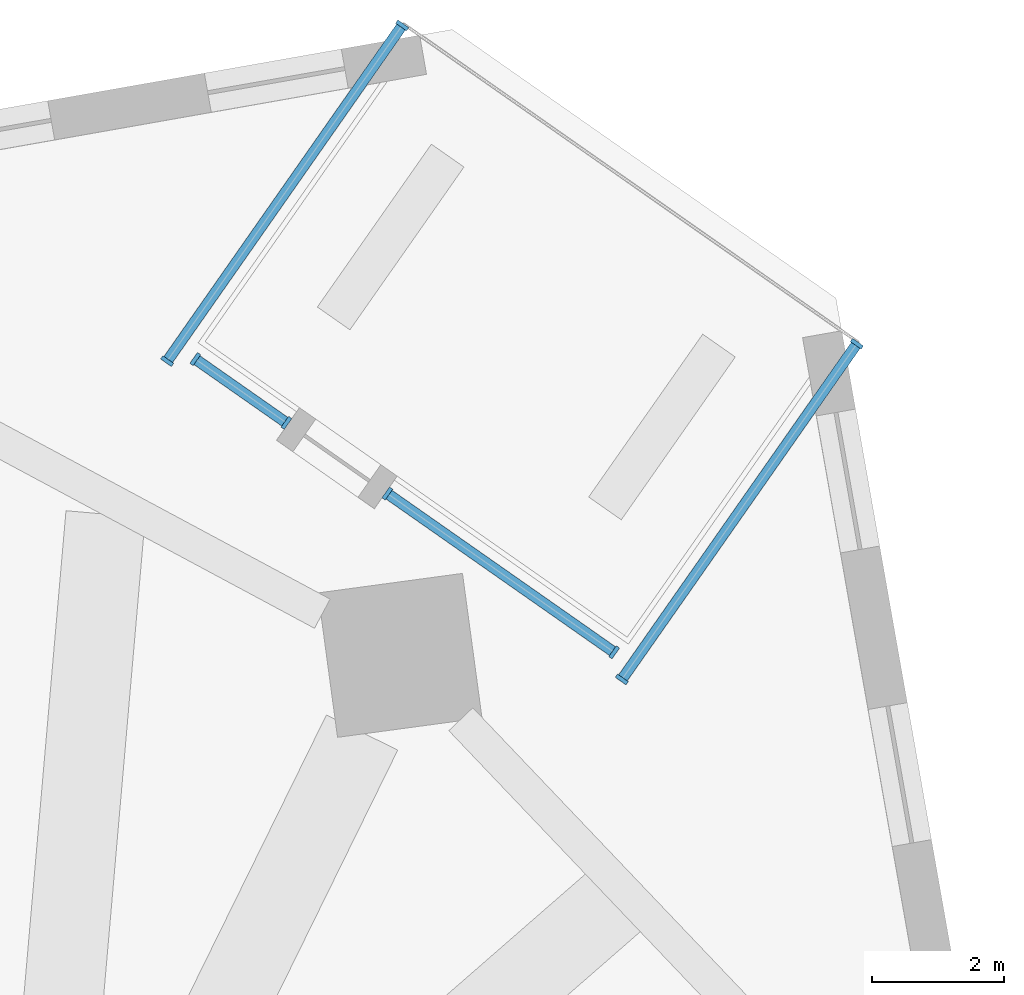
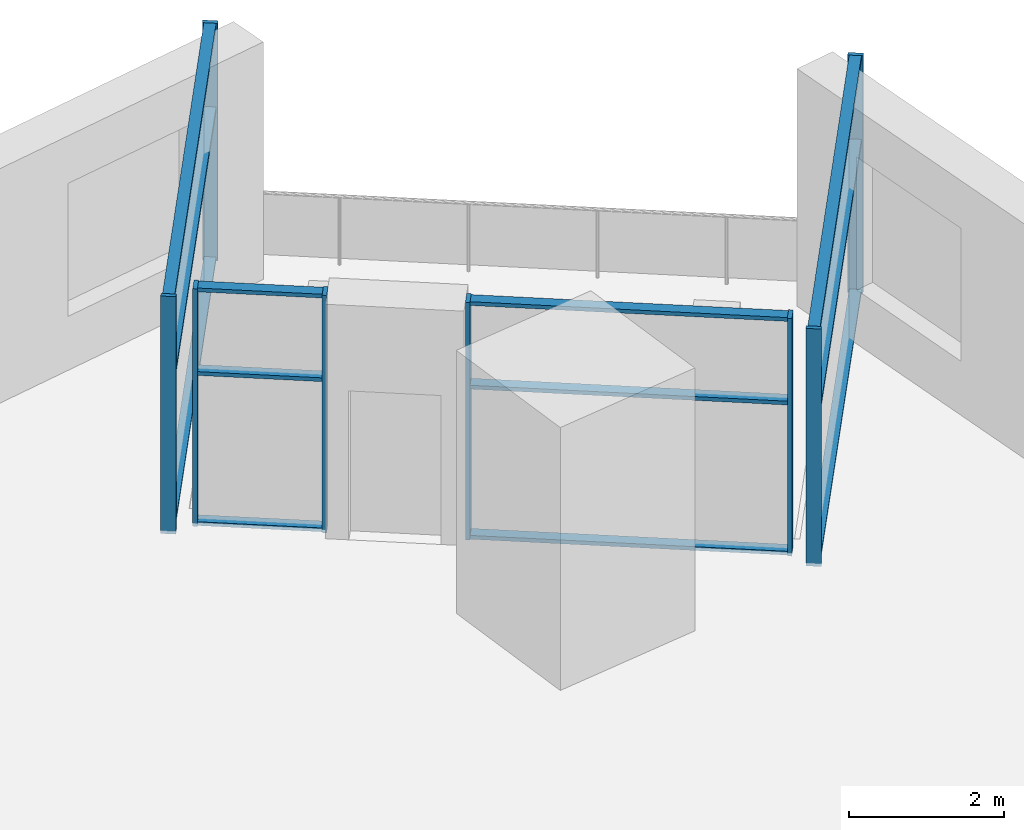
# One storey, part 2 of 10: 20 members, 4 elements without a shape of their own.
"""IFC4 building model written with IfcOpenShell, lengths in metres."""

from ifc_helpers import new_model, si_unit, direction, frame, origin, origin_2d, place, context, subcontext, project, spatial, rectangle, extrude, material, material_profile, profile_set, type_object, element, aggregate, save


model = new_model("IFC4")

# Units and contexts
model_context = context("Model", 3, precision=1e-05, world=origin(), true_north=direction((0.0, 1.0)))
body_context = subcontext(model_context, "Body", "Model", "MODEL_VIEW")
ifc_project = project(units=[si_unit("LENGTHUNIT", "METRE"), si_unit("AREAUNIT", "SQUARE_METRE"), si_unit("VOLUMEUNIT", "CUBIC_METRE"), si_unit("PLANEANGLEUNIT", "RADIAN"), si_unit("MASSUNIT", "GRAM", prefix="KILO")], contexts=[model_context])

# Site, building, storey
site_placement = place(None, origin())
site = spatial("IfcSite", under=ifc_project, at=site_placement, CompositionType="ELEMENT")
building_placement = place(site_placement, origin())
building = spatial("IfcBuilding", under=site, at=building_placement, Name="Dilmun Exchange Tower", CompositionType="ELEMENT")
storey_placement = place(building_placement, frame((0.0, 0.0, 63.89990234375)))
storey = spatial("IfcBuildingStorey", under=building, at=storey_placement, Name="L14", CompositionType="ELEMENT", Elevation=63.89990234375)

# Curtain wall, members
ifc_material_1 = material(Name="Anodised aluminium and clear glass", Category="aluminium")
curtain_wall_type = type_object("IfcCurtainWallType", Name="Garden corner glazing", PredefinedType="NOTDEFINED", material=ifc_material_1)
curtain_wall_1_placement = place(storey_placement, origin())
curtain_wall_1 = element("IfcCurtainWall", 1, at=curtain_wall_1_placement, inside=storey, type_object=curtain_wall_type, Name="Garden corner glazing run GC1.1", PredefinedType="NOTDEFINED")
ifc_material_2 = material(Name="Anodised aluminium", Category="aluminium")
ifc_material_profile_1 = material_profile(ifc_material_2, rectangle(XDim=0.199951171875, YDim=0.06005859375, at=origin_2d()), Name="AL 60x200")
ifc_profile_set_1 = profile_set([ifc_material_profile_1], Name="Anodised aluminium")
member_type_1 = type_object("IfcMemberType", Name="Garden corner glazing mullion 60 x 200", PredefinedType="MULLION", material=ifc_profile_set_1)
member_1_placement = place(storey_placement, frame((25.518310546875, 29.140625, 0.0), z_axis=(0.0, 0.0, 1.0), x_axis=(0.819153693935, -0.573574080405, 0.0)))
member_1 = element("IfcMember", 2, at=member_1_placement, type_object=member_type_1, Name="GC1.1 mullion 1", PredefinedType="MULLION", context=body_context, shape_type="SweptSolid", body=[
    extrude(rectangle(XDim=0.199951171875, YDim=0.06005859375, at=origin_2d()), origin(), (0.0, 0.0, 1.0), 3.75),
])
member_2_placement = place(storey_placement, frame((21.969970703125, 24.072998046875, 0.0), z_axis=(0.0, 0.0, 1.0), x_axis=(0.819153693935, -0.573574080405, 0.0)))
member_2 = element("IfcMember", 3, at=member_2_placement, type_object=member_type_1, Name="GC1.1 mullion 2", PredefinedType="MULLION", context=body_context, shape_type="SweptSolid", body=[
    extrude(rectangle(XDim=0.199951171875, YDim=0.06005859375, at=origin_2d()), origin(), (0.0, 0.0, 1.0), 3.75),
])

curtain_wall_2_placement = place(storey_placement, origin())
curtain_wall_2 = element("IfcCurtainWall", 4, at=curtain_wall_2_placement, inside=storey, type_object=curtain_wall_type, Name="Garden corner glazing run GC2.1", PredefinedType="NOTDEFINED")
member_3_placement = place(storey_placement, frame((21.8544921875, 24.4833984375, 0.0), z_axis=(0.0, 0.0, 1.0), x_axis=(-0.573576332556, -0.819152116967, 0.0)))
member_3 = element("IfcMember", 5, at=member_3_placement, type_object=member_type_1, Name="GC2.1 mullion 1", PredefinedType="MULLION", context=body_context, shape_type="SweptSolid", body=[
    extrude(rectangle(XDim=0.199951171875, YDim=0.06005859375, at=origin_2d()), origin(), (0.0, 0.0, 1.0), 3.75),
])
member_4_placement = place(storey_placement, frame((18.431396484375, 26.88037109375, 0.0), z_axis=(0.0, 0.0, 1.0), x_axis=(-0.573576332556, -0.819152116967, 0.0)))
member_4 = element("IfcMember", 6, at=member_4_placement, type_object=member_type_1, Name="GC2.1 mullion 2", PredefinedType="MULLION", context=body_context, shape_type="SweptSolid", body=[
    extrude(rectangle(XDim=0.199951171875, YDim=0.06005859375, at=origin_2d()), origin(), (0.0, 0.0, 1.0), 3.75),
])

curtain_wall_3_placement = place(storey_placement, origin())
curtain_wall_3 = element("IfcCurtainWall", 7, at=curtain_wall_3_placement, inside=storey, type_object=curtain_wall_type, Name="Garden corner glazing run GC2.3", PredefinedType="NOTDEFINED")
member_5_placement = place(storey_placement, frame((16.90771484375, 27.947265625, 0.0), z_axis=(0.0, 0.0, 1.0), x_axis=(-0.573570394551, -0.81915627477, 0.0)))
member_5 = element("IfcMember", 8, at=member_5_placement, type_object=member_type_1, Name="GC2.3 mullion 1", PredefinedType="MULLION", context=body_context, shape_type="SweptSolid", body=[
    extrude(rectangle(XDim=0.199951171875, YDim=0.06005859375, at=origin_2d()), origin(), (0.0, 0.0, 1.0), 3.75),
])
member_6_placement = place(storey_placement, frame((15.5322265625, 28.910400390625, 0.0), z_axis=(0.0, 0.0, 1.0), x_axis=(-0.573570394551, -0.81915627477, 0.0)))
member_6 = element("IfcMember", 9, at=member_6_placement, type_object=member_type_1, Name="GC2.3 mullion 2", PredefinedType="MULLION", context=body_context, shape_type="SweptSolid", body=[
    extrude(rectangle(XDim=0.199951171875, YDim=0.06005859375, at=origin_2d()), origin(), (0.0, 0.0, 1.0), 3.75),
])

curtain_wall_4_placement = place(storey_placement, origin())
curtain_wall_4 = element("IfcCurtainWall", 10, at=curtain_wall_4_placement, inside=storey, type_object=curtain_wall_type, Name="Garden corner glazing run GC3.1", PredefinedType="NOTDEFINED")
member_7_placement = place(storey_placement, frame((15.10693359375, 28.87841796875, 0.0), z_axis=(0.0, 0.0, 1.0), x_axis=(-0.819153693935, 0.573574080405, 0.0)))
member_7 = element("IfcMember", 11, at=member_7_placement, type_object=member_type_1, Name="GC3.1 mullion 1", PredefinedType="MULLION", context=body_context, shape_type="SweptSolid", body=[
    extrude(rectangle(XDim=0.199951171875, YDim=0.06005859375, at=origin_2d()), origin(), (0.0, 0.0, 1.0), 3.75),
])
member_8_placement = place(storey_placement, frame((18.6552734375, 33.946044921875, 0.0), z_axis=(0.0, 0.0, 1.0), x_axis=(-0.819153693935, 0.573574080405, 0.0)))
member_8 = element("IfcMember", 12, at=member_8_placement, type_object=member_type_1, Name="GC3.1 mullion 2", PredefinedType="MULLION", context=body_context, shape_type="SweptSolid", body=[
    extrude(rectangle(XDim=0.199951171875, YDim=0.06005859375, at=origin_2d()), origin(), (0.0, 0.0, 1.0), 3.75),
])

# Member
ifc_material_profile_2 = material_profile(ifc_material_2, rectangle(XDim=0.159912109375, YDim=0.06005859375, at=origin_2d()), Name="AL 60x160")
ifc_profile_set_2 = profile_set([ifc_material_profile_2], Name="Anodised aluminium")
member_type_2 = type_object("IfcMemberType", Name="Garden corner glazing transom 60 x 160", PredefinedType="USERDEFINED", material=ifc_profile_set_2)
member_9_placement = place(storey_placement, frame((25.501220703125, 29.115966796875, 0.030029296875), z_axis=(-0.573582695065, -0.819147661854, 0.0), x_axis=(0.819147661854, -0.573582695065, 0.0)))
member_9 = element("IfcMember", 13, at=member_9_placement, type_object=member_type_2, Name="GC1.1 transom 1.1", ObjectType="TRANSOM", PredefinedType="USERDEFINED", context=body_context, shape_type="SweptSolid", body=[
    extrude(rectangle(XDim=0.159912109375, YDim=0.06005859375, at=origin_2d()), origin(), (0.0, 0.0, 1.0), 6.126220703125),
])

member_10_placement = place(storey_placement, frame((25.501220703125, 29.115966796875, 2.400146484375), z_axis=(-0.573582695065, -0.819147661854, 0.0), x_axis=(0.819147661854, -0.573582695065, 0.0)))
member_10 = element("IfcMember", 14, at=member_10_placement, type_object=member_type_2, Name="GC1.1 transom 1.2", ObjectType="TRANSOM", PredefinedType="USERDEFINED", context=body_context, shape_type="SweptSolid", body=[
    extrude(rectangle(XDim=0.159912109375, YDim=0.06005859375, at=origin_2d()), origin(), (0.0, 0.0, 1.0), 6.126220703125),
])

member_11_placement = place(storey_placement, frame((25.501220703125, 29.115966796875, 3.72021484375), z_axis=(-0.573582695065, -0.819147661854, 0.0), x_axis=(0.819147661854, -0.573582695065, 0.0)))
member_11 = element("IfcMember", 15, at=member_11_placement, type_object=member_type_2, Name="GC1.1 transom 1.3", ObjectType="TRANSOM", PredefinedType="USERDEFINED", context=body_context, shape_type="SweptSolid", body=[
    extrude(rectangle(XDim=0.159912109375, YDim=0.06005859375, at=origin_2d()), origin(), (0.0, 0.0, 1.0), 6.126220703125),
])

aggregate(curtain_wall_1, [member_1, member_2, member_9, member_10, member_11])

member_12_placement = place(storey_placement, frame((21.829833984375, 24.500732421875, 0.030029296875), z_axis=(-0.819148373157, 0.573581679236, 0.0), x_axis=(-0.573581679236, -0.819148373157, 0.0)))
member_12 = element("IfcMember", 16, at=member_12_placement, type_object=member_type_2, Name="GC2.1 transom 1.1", ObjectType="TRANSOM", PredefinedType="USERDEFINED", context=body_context, shape_type="SweptSolid", body=[
    extrude(rectangle(XDim=0.159912109375, YDim=0.06005859375, at=origin_2d()), origin(), (0.0, 0.0, 1.0), 4.118896484375),
])

member_13_placement = place(storey_placement, frame((21.829833984375, 24.500732421875, 2.400146484375), z_axis=(-0.819148373157, 0.573581679236, 0.0), x_axis=(-0.573581679236, -0.819148373157, 0.0)))
member_13 = element("IfcMember", 17, at=member_13_placement, type_object=member_type_2, Name="GC2.1 transom 1.2", ObjectType="TRANSOM", PredefinedType="USERDEFINED", context=body_context, shape_type="SweptSolid", body=[
    extrude(rectangle(XDim=0.159912109375, YDim=0.06005859375, at=origin_2d()), origin(), (0.0, 0.0, 1.0), 4.118896484375),
])

member_14_placement = place(storey_placement, frame((21.829833984375, 24.500732421875, 3.72021484375), z_axis=(-0.819148373157, 0.573581679236, 0.0), x_axis=(-0.573581679236, -0.819148373157, 0.0)))
member_14 = element("IfcMember", 18, at=member_14_placement, type_object=member_type_2, Name="GC2.1 transom 1.3", ObjectType="TRANSOM", PredefinedType="USERDEFINED", context=body_context, shape_type="SweptSolid", body=[
    extrude(rectangle(XDim=0.159912109375, YDim=0.06005859375, at=origin_2d()), origin(), (0.0, 0.0, 1.0), 4.118896484375),
])

aggregate(curtain_wall_2, [member_3, member_4, member_12, member_13, member_14])

member_15_placement = place(storey_placement, frame((16.883056640625, 27.964599609375, 0.030029296875), z_axis=(-0.819239004524, 0.573452224223, 0.0), x_axis=(-0.573452224223, -0.819239004524, 0.0)))
member_15 = element("IfcMember", 19, at=member_15_placement, type_object=member_type_2, Name="GC2.3 transom 1.1", ObjectType="TRANSOM", PredefinedType="USERDEFINED", context=body_context, shape_type="SweptSolid", body=[
    extrude(rectangle(XDim=0.159912109375, YDim=0.06005859375, at=origin_2d()), origin(), (0.0, 0.0, 1.0), 1.619140625),
])

member_16_placement = place(storey_placement, frame((16.883056640625, 27.964599609375, 2.400146484375), z_axis=(-0.819239004524, 0.573452224223, 0.0), x_axis=(-0.573452224223, -0.819239004524, 0.0)))
member_16 = element("IfcMember", 20, at=member_16_placement, type_object=member_type_2, Name="GC2.3 transom 1.2", ObjectType="TRANSOM", PredefinedType="USERDEFINED", context=body_context, shape_type="SweptSolid", body=[
    extrude(rectangle(XDim=0.159912109375, YDim=0.06005859375, at=origin_2d()), origin(), (0.0, 0.0, 1.0), 1.619140625),
])

member_17_placement = place(storey_placement, frame((16.883056640625, 27.964599609375, 3.72021484375), z_axis=(-0.819239004524, 0.573452224223, 0.0), x_axis=(-0.573452224223, -0.819239004524, 0.0)))
member_17 = element("IfcMember", 21, at=member_17_placement, type_object=member_type_2, Name="GC2.3 transom 1.3", ObjectType="TRANSOM", PredefinedType="USERDEFINED", context=body_context, shape_type="SweptSolid", body=[
    extrude(rectangle(XDim=0.159912109375, YDim=0.06005859375, at=origin_2d()), origin(), (0.0, 0.0, 1.0), 1.619140625),
])

aggregate(curtain_wall_3, [member_5, member_6, member_15, member_16, member_17])

member_18_placement = place(storey_placement, frame((15.124267578125, 28.903076171875, 0.030029296875), z_axis=(0.573563971341, 0.819160772242, 0.0), x_axis=(-0.819160772242, 0.573563971341, 0.0)))
member_18 = element("IfcMember", 22, at=member_18_placement, type_object=member_type_2, Name="GC3.1 transom 1.1", ObjectType="TRANSOM", PredefinedType="USERDEFINED", context=body_context, shape_type="SweptSolid", body=[
    extrude(rectangle(XDim=0.159912109375, YDim=0.06005859375, at=origin_2d()), origin(), (0.0, 0.0, 1.0), 6.12646484375),
])

member_19_placement = place(storey_placement, frame((15.124267578125, 28.903076171875, 2.400146484375), z_axis=(0.573563971341, 0.819160772242, 0.0), x_axis=(-0.819160772242, 0.573563971341, 0.0)))
member_19 = element("IfcMember", 23, at=member_19_placement, type_object=member_type_2, Name="GC3.1 transom 1.2", ObjectType="TRANSOM", PredefinedType="USERDEFINED", context=body_context, shape_type="SweptSolid", body=[
    extrude(rectangle(XDim=0.159912109375, YDim=0.06005859375, at=origin_2d()), origin(), (0.0, 0.0, 1.0), 6.12646484375),
])

member_20_placement = place(storey_placement, frame((15.124267578125, 28.903076171875, 3.72021484375), z_axis=(0.573563971341, 0.819160772242, 0.0), x_axis=(-0.819160772242, 0.573563971341, 0.0)))
member_20 = element("IfcMember", 24, at=member_20_placement, type_object=member_type_2, Name="GC3.1 transom 1.3", ObjectType="TRANSOM", PredefinedType="USERDEFINED", context=body_context, shape_type="SweptSolid", body=[
    extrude(rectangle(XDim=0.159912109375, YDim=0.06005859375, at=origin_2d()), origin(), (0.0, 0.0, 1.0), 6.12646484375),
])

aggregate(curtain_wall_4, [member_7, member_8, member_18, member_19, member_20])

save(model, "model.ifc")
